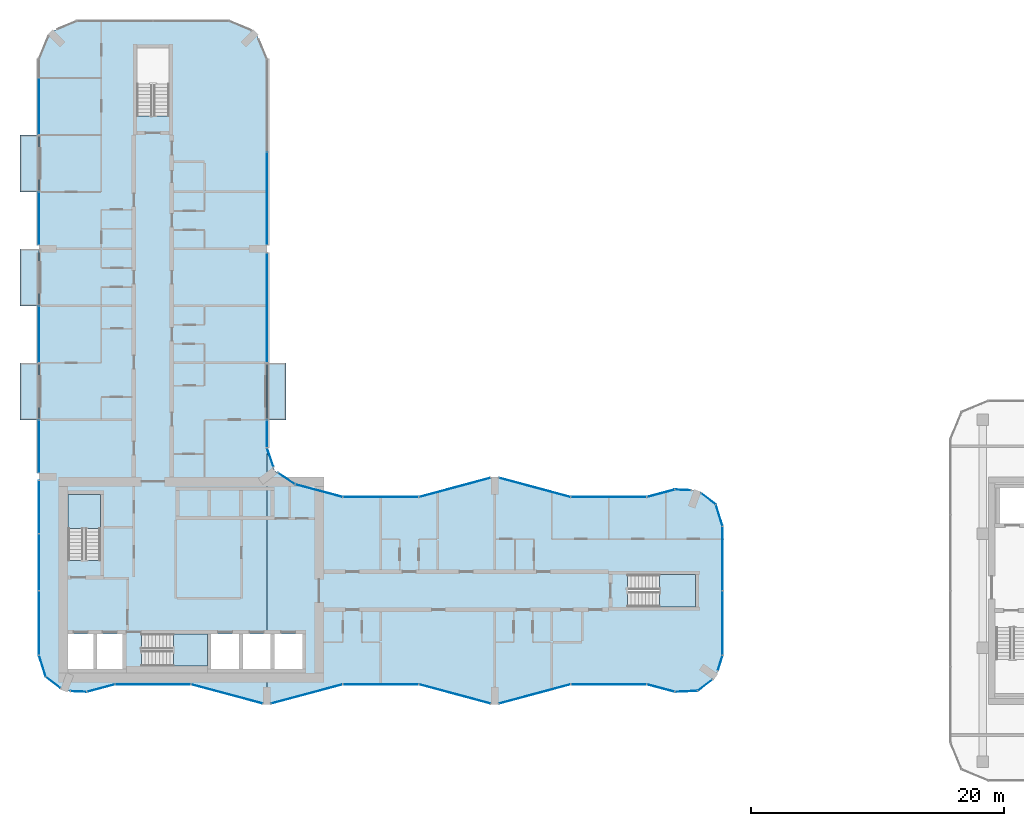
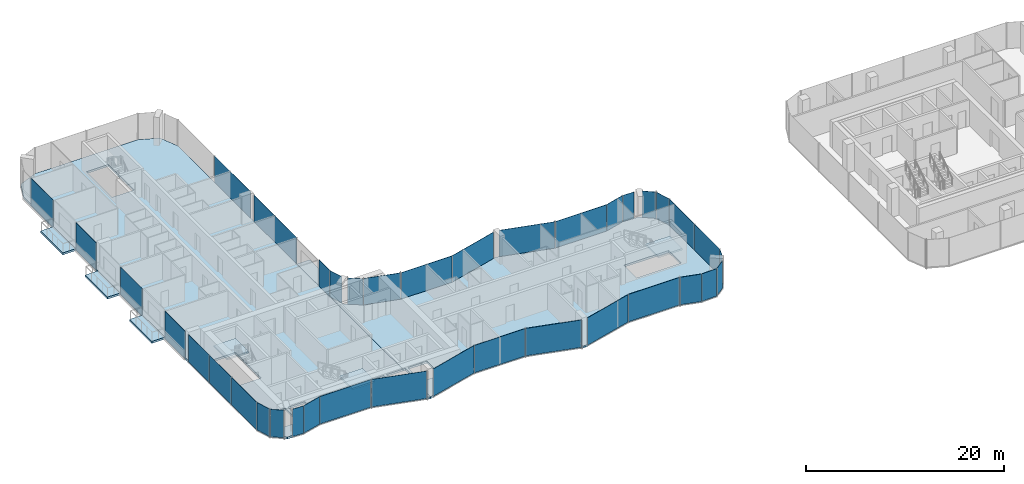
# One storey, part 11 of 22: 38 plates, 9 slabs, 38 elements without a shape of their own.
"""IFC4 building model written with IfcOpenShell, lengths in metres."""

import ifcopenshell
import ifcopenshell.guid

model = None  # the IFC model being written
_history = None  # IfcOwnerHistory: only IFC2X3 demands one
_inside = {}  # id of a spatial element -> (the spatial element, [elements in it])
_under = {}  # id of a project, library or spatial element -> (it, [spatial elements below it])
_declared = {}  # id of a project -> (the project, [libraries it declares])
_typed = {}  # id of a type object -> (the type object, [elements of that type])
_made_of = {}  # id of a material, layer set ... -> (it, [elements and type objects made of it])


def new_model(schema):
    """Start an empty IFC model of exactly this schema.

    Asked for "IFC4X3", IfcOpenShell would pick the latest addendum, in which some entities
    have other attributes; the version numbers below select the first issue.
    IFC2X3 requires an IfcOwnerHistory on every rooted entity: one is made here for all.
    """
    global model, _history
    if schema == "IFC4X3":
        model = ifcopenshell.file(schema_version=(4, 3, 0, 0))
    else:
        model = ifcopenshell.file(schema=schema)
    _inside.clear()
    _under.clear()
    _declared.clear()
    _typed.clear()
    _made_of.clear()
    _history = None
    if model.schema == "IFC2X3":
        org = make("IfcOrganization", Name="unknown")
        user = make(
            "IfcPersonAndOrganization",
            ThePerson=make("IfcPerson", FamilyName="unknown"),
            TheOrganization=org,
        )
        app = make(
            "IfcApplication",
            ApplicationDeveloper=org,
            Version="unknown",
            ApplicationFullName="unknown",
            ApplicationIdentifier="unknown",
        )
        _history = make(
            "IfcOwnerHistory",
            OwningUser=user,
            OwningApplication=app,
            ChangeAction="ADDED",
            CreationDate=0,
        )
    return model


def make(cls, **values):
    """One entity of the class cls with the attributes given. An attribute that is None is left unset."""
    return model.create_entity(
        cls, **{name: value for name, value in values.items() if value is not None}
    )


def rooted(cls, **values):
    """An entity with a GlobalId (a new one), such as an element, a storey or a relation."""
    return make(cls, GlobalId=ifcopenshell.guid.new(), OwnerHistory=_history, **values)


def si_unit(unit_type, name, prefix=None):
    """IfcSIUnit, for example si_unit("LENGTHUNIT", "METRE", prefix="MILLI")."""
    return make("IfcSIUnit", UnitType=unit_type, Prefix=prefix, Name=name)


def assignment(units):
    """IfcUnitAssignment: the units of a project."""
    return None if units is None else make("IfcUnitAssignment", Units=units)


def point(xyz):
    """IfcCartesianPoint."""
    return None if xyz is None else make("IfcCartesianPoint", Coordinates=xyz)


def direction(xyz):
    """IfcDirection."""
    return None if xyz is None else make("IfcDirection", DirectionRatios=xyz)


def frame(location, z_axis=None, x_axis=None):
    """IfcAxis2Placement3D, a coordinate frame: its origin and axes. An axis left out is left unset."""
    return make(
        "IfcAxis2Placement3D",
        Location=point(location),
        Axis=direction(z_axis),
        RefDirection=direction(x_axis),
    )


def frame_2d(location, x_axis=None):
    """IfcAxis2Placement2D, a coordinate frame in the plane: its origin and x axis."""
    return make(
        "IfcAxis2Placement2D", Location=point(location), RefDirection=direction(x_axis)
    )


def origin():
    """The frame at (0, 0, 0) with its axes left unset."""
    return frame((0.0, 0.0, 0.0))


def origin_2d():
    """The frame at (0, 0) in the plane with its x axis left unset."""
    return frame_2d((0.0, 0.0))


def place(relative_to, where):
    """IfcLocalPlacement: puts the frame where relative to a parent placement (None: the world)."""
    return make(
        "IfcLocalPlacement", PlacementRelTo=relative_to, RelativePlacement=where
    )


def context(
    kind, dimensions, precision=None, world=None, true_north=None, identifier=None
):
    """IfcGeometricRepresentationContext, for example the 3D "Model" context."""
    return make(
        "IfcGeometricRepresentationContext",
        ContextIdentifier=identifier,
        ContextType=kind,
        CoordinateSpaceDimension=dimensions,
        Precision=precision,
        WorldCoordinateSystem=world,
        TrueNorth=true_north,
    )


def subcontext(parent, identifier, kind, view, scale=None):
    """IfcGeometricRepresentationSubContext, for example "Body" below "Model"."""
    return make(
        "IfcGeometricRepresentationSubContext",
        ContextIdentifier=identifier,
        ContextType=kind,
        ParentContext=parent,
        TargetScale=scale,
        TargetView=view,
    )


def project(units=None, contexts=None):
    """IfcProject with its units and contexts."""
    return rooted(
        "IfcProject",
        Name="project",
        RepresentationContexts=contexts,
        UnitsInContext=assignment(units),
    )


def spatial(cls, under=None, at=None, **own):
    """A site, building, storey or space (cls), placed at a placement, below another one or the project."""
    s = rooted(cls, ObjectPlacement=at, **own)
    if under is not None:
        _under.setdefault(under.id(), (under, []))[1].append(s)
    return s


def polyline(points):
    """IfcPolyline through the points."""
    return make("IfcPolyline", Points=[point(p) for p in points])


def profile(cls, at=None, kind="AREA", **sizes):
    """A parametric profile (cls). Its sizes go by their IFC names, for example OverallWidth=200.0."""
    return make(cls, ProfileType=kind, Position=at, **sizes)


def rectangle(**sizes):
    """IfcRectangleProfileDef."""
    return profile("IfcRectangleProfileDef", **sizes)


def outline(outer, holes=None, kind="AREA"):
    """IfcArbitraryClosedProfileDef: a profile drawn as a closed curve; with holes, ...WithVoids."""
    if holes is None:
        return make("IfcArbitraryClosedProfileDef", ProfileType=kind, OuterCurve=outer)
    return make(
        "IfcArbitraryProfileDefWithVoids",
        ProfileType=kind,
        OuterCurve=outer,
        InnerCurves=holes,
    )


def extrude(swept, where, along, depth):
    """IfcExtrudedAreaSolid: the profile swept, set in the frame where, extruded along a direction by depth."""
    return make(
        "IfcExtrudedAreaSolid",
        SweptArea=swept,
        Position=where,
        ExtrudedDirection=direction(along),
        Depth=depth,
    )


def shape(context_of_items, identifier, shape_type, items):
    """IfcShapeRepresentation: the items that make up one representation, for example the "Body"."""
    return make(
        "IfcShapeRepresentation",
        ContextOfItems=context_of_items,
        RepresentationIdentifier=identifier,
        RepresentationType=shape_type,
        Items=items,
    )


def material(Name=None, Category=None):
    """IfcMaterial."""
    return make("IfcMaterial", Name=Name, Category=Category)


def layer(
    of_material, thickness, ventilated=None, Name=None, Category=None, Priority=None
):
    """IfcMaterialLayer: one layer of a wall or slab, of a material (None: an air gap)."""
    return make(
        "IfcMaterialLayer",
        Material=of_material,
        LayerThickness=thickness,
        IsVentilated=ventilated,
        Name=Name,
        Category=Category,
        Priority=Priority,
    )


def layer_set(layers, Name=None):
    """IfcMaterialLayerSet."""
    return make("IfcMaterialLayerSet", MaterialLayers=layers, LayerSetName=Name)


def made_of(thing, what):
    """Note that an element or type object is made of a material, layer set ...; save() writes the relation."""
    if what is not None:
        _made_of.setdefault(what.id(), (what, []))[1].append(thing)
    return thing


def type_object(cls, material=None, **own):
    """A type object (cls), such as IfcWallType, which elements share."""
    return made_of(rooted(cls, **own), material)


def element(
    cls,
    number,
    at=None,
    inside=None,
    cuts=None,
    type_object=None,
    material=None,
    context=None,
    identifier="Body",
    shape_type=None,
    held_by="IfcProductDefinitionShape",
    body=None,
    shapes=None,
    **own,
):
    """One element of the class cls, such as IfcWall. Its Tag is "e" and its number.

    at: its placement. inside: the storey or other place that contains it. cuts: it is an
    opening in that element (IfcRelVoidsElement). A single representation is given by context,
    identifier, shape_type and body (its items); several are given by shapes. held_by: the class
    of the entity that holds the representations. save() writes the other relations.
    """
    e = rooted(cls, Tag="e%d" % number, ObjectPlacement=at, **own)
    if body is not None:
        shapes = [shape(context, identifier, shape_type, body)]
    if shapes is not None:
        e.Representation = make(held_by, Representations=shapes)
    if inside is not None:
        _inside.setdefault(inside.id(), (inside, []))[1].append(e)
    if cuts is not None:
        rooted(
            "IfcRelVoidsElement", RelatingBuildingElement=cuts, RelatedOpeningElement=e
        )
    if type_object is not None:
        _typed.setdefault(type_object.id(), (type_object, []))[1].append(e)
    return made_of(e, material)


def aggregate(whole, parts):
    """IfcRelAggregates: a whole, such as a stair, and the parts it consists of."""
    return rooted("IfcRelAggregates", RelatingObject=whole, RelatedObjects=parts)


def save(model, path):
    """Write the relations noted so far, then the file.

    IfcRelAggregates (storeys below a building ...), IfcRelContainedInSpatialStructure (elements
    in a storey), IfcRelDefinesByType, IfcRelAssociatesMaterial and IfcRelDeclares: one each for
    every whole, place, type object, material and project.
    """
    for whole, parts in _under.values():
        aggregate(whole, parts)
    for where, things in _inside.values():
        rooted(
            "IfcRelContainedInSpatialStructure",
            RelatedElements=things,
            RelatingStructure=where,
        )
    for kind, things in _typed.values():
        rooted("IfcRelDefinesByType", RelatedObjects=things, RelatingType=kind)
    for what, things in _made_of.values():
        rooted("IfcRelAssociatesMaterial", RelatedObjects=things, RelatingMaterial=what)
    for by, libraries in _declared.values():
        rooted("IfcRelDeclares", RelatingContext=by, RelatedDefinitions=libraries)
    model.write(path)


model = new_model("IFC4")

# Units and contexts
model_context = context("Model", 3, precision=1e-05, world=origin(), true_north=direction((0.0, 1.0)))
body_context = subcontext(model_context, "Body", "Model", "MODEL_VIEW")
ifc_project = project(units=[si_unit("LENGTHUNIT", "METRE"), si_unit("AREAUNIT", "SQUARE_METRE"), si_unit("VOLUMEUNIT", "CUBIC_METRE"), si_unit("PLANEANGLEUNIT", "RADIAN"), si_unit("MASSUNIT", "GRAM", prefix="KILO")], contexts=[model_context])

# Site, building, storey
site_placement = place(None, origin())
site = spatial("IfcSite", under=ifc_project, at=site_placement, CompositionType="ELEMENT")
building_placement = place(site_placement, origin())
building = spatial("IfcBuilding", under=site, at=building_placement, Name="Plateau Cross Towers", CompositionType="ELEMENT")
storey_placement = place(building_placement, frame((0.0, 0.0, 54.800048828125)))
storey = spatial("IfcBuildingStorey", under=building, at=storey_placement, Name="L13", CompositionType="ELEMENT", Elevation=54.800048828125)

# Slabs
ifc_material_1 = material(Name="Concrete C40/50", Category="concrete")
ifc_layer_1 = layer(ifc_material_1, 0.25)
ifc_layer_set_1 = layer_set([ifc_layer_1], Name="Concrete C40/50")
slab_type_1 = type_object("IfcSlabType", Name="Balcony slab 250", PredefinedType="FLOOR", material=ifc_layer_set_1)
slab_1_placement = place(storey_placement, frame((0.0, 0.0, -0.25)))
element("IfcSlab", 1, at=slab_1_placement, inside=storey, type_object=slab_type_1, Name="Balcony slab A-BAL-L13-01", PredefinedType="FLOOR", context=body_context, shape_type="SweptSolid", body=[
    extrude(outline(polyline([(0.0, 22.5), (0.0, 27.0), (-1.5, 27.0), (-1.5, 22.5), (0.0, 22.5)])), origin(), (0.0, 0.0, 1.0), 0.25),
])
slab_2_placement = place(storey_placement, frame((0.0, 0.0, -0.25)))
element("IfcSlab", 2, at=slab_2_placement, inside=storey, type_object=slab_type_1, Name="Balcony slab A-BAL-L13-02", PredefinedType="FLOOR", context=body_context, shape_type="SweptSolid", body=[
    extrude(outline(polyline([(0.0, 31.5), (0.0, 36.0), (-1.5, 36.0), (-1.5, 31.5), (0.0, 31.5)])), origin(), (0.0, 0.0, 1.0), 0.25),
])
slab_3_placement = place(storey_placement, frame((0.0, 0.0, -0.25)))
element("IfcSlab", 3, at=slab_3_placement, inside=storey, type_object=slab_type_1, Name="Balcony slab A-BAL-L13-03", PredefinedType="FLOOR", context=body_context, shape_type="SweptSolid", body=[
    extrude(outline(polyline([(0.0, 40.5), (0.0, 45.0), (-1.5, 45.0), (-1.5, 40.5), (0.0, 40.5)])), origin(), (0.0, 0.0, 1.0), 0.25),
])
slab_4_placement = place(storey_placement, frame((0.0, 0.0, -0.25)))
element("IfcSlab", 4, at=slab_4_placement, inside=storey, type_object=slab_type_1, Name="Balcony slab A-BAL-L13-04", PredefinedType="FLOOR", context=body_context, shape_type="SweptSolid", body=[
    extrude(outline(polyline([(19.5, 22.5), (19.5, 27.0), (18.0, 27.0), (18.0, 22.5), (19.5, 22.5)])), origin(), (0.0, 0.0, 1.0), 0.25),
])

# Curtain wall, plate
ifc_material_2 = material(Name="Dark low-iron glass", Category="glass")
ifc_layer_2 = layer(ifc_material_2, 0.239990234375)
ifc_layer_set_2 = layer_set([ifc_layer_2], Name="Dark low-iron glass")
curtain_wall_type_1 = type_object("IfcCurtainWallType", Name="Curtain wall flush unitised CW-B", PredefinedType="NOTDEFINED", material=ifc_layer_set_2)
curtain_wall_1_placement = place(storey_placement, origin())
curtain_wall_1 = element("IfcCurtainWall", 5, at=curtain_wall_1_placement, inside=storey, type_object=curtain_wall_type_1, Name="ENV/A/L13/A502_10", PredefinedType="NOTDEFINED")
ifc_layer_3 = layer(ifc_material_2, 0.031982421875)
ifc_layer_set_3 = layer_set([ifc_layer_3], Name="Dark low-iron glass")
plate_type_1 = type_object("IfcPlateType", Name="Glass panel 32 flush unitised", PredefinedType="CURTAIN_PANEL", material=ifc_layer_set_3)
plate_1_placement = place(storey_placement, frame((51.125, 1.05078125, -0.1298828125), z_axis=(0.0, 0.0, 1.0), x_axis=(0.999043701491, 0.043722791671, 0.0)))
plate_1 = element("IfcPlate", 6, at=plate_1_placement, type_object=plate_type_1, Name="CW-B panel 1", PredefinedType="CURTAIN_PANEL", context=body_context, shape_type="SweptSolid", body=[
    extrude(rectangle(XDim=1.744140625, YDim=0.031982421875, at=origin_2d()), origin(), (0.0, 0.0, 1.0), 3.3798828125),
])
aggregate(curtain_wall_1, [plate_1])

curtain_wall_2_placement = place(storey_placement, origin())
curtain_wall_2 = element("IfcCurtainWall", 7, at=curtain_wall_2_placement, inside=storey, type_object=curtain_wall_type_1, Name="ENV/A/L13/A520_11", PredefinedType="NOTDEFINED")
plate_2_placement = place(storey_placement, frame((52.60986328125, 1.5380859375, -0.1298828125), z_axis=(0.0, 0.0, 1.0), x_axis=(0.793315514529, 0.608810721331, 0.0)))
plate_2 = element("IfcPlate", 8, at=plate_2_placement, type_object=plate_type_1, Name="CW-B panel 1", PredefinedType="CURTAIN_PANEL", context=body_context, shape_type="SweptSolid", body=[
    extrude(rectangle(XDim=1.41162109375, YDim=0.031982421875, at=origin_2d()), origin(), (0.0, 0.0, 1.0), 3.3798828125),
])
aggregate(curtain_wall_2, [plate_2])

curtain_wall_3_placement = place(storey_placement, origin())
curtain_wall_3 = element("IfcCurtainWall", 9, at=curtain_wall_3_placement, inside=storey, type_object=curtain_wall_type_1, Name="ENV/A/L13/A536_27", PredefinedType="NOTDEFINED")
plate_3_placement = place(storey_placement, frame((53.805419921875, 3.292236328125, -0.1298828125), z_axis=(0.0, 0.0, 1.0), x_axis=(0.300686174994, 0.95372313811, 0.0)))
plate_3 = element("IfcPlate", 10, at=plate_3_placement, type_object=plate_type_1, Name="CW-B panel 1", PredefinedType="CURTAIN_PANEL", context=body_context, shape_type="SweptSolid", body=[
    extrude(rectangle(XDim=1.233642578125, YDim=0.031982421875, at=origin_2d()), origin(), (0.0, 0.0, 1.0), 3.3798828125),
])
aggregate(curtain_wall_3, [plate_3])

# Curtain wall, plates
curtain_wall_4_placement = place(storey_placement, origin())
curtain_wall_4 = element("IfcCurtainWall", 11, at=curtain_wall_4_placement, inside=storey, type_object=curtain_wall_type_1, Name="ENV/A/L13/A540_39", PredefinedType="NOTDEFINED")
plate_4_placement = place(storey_placement, frame((54.0, 6.45458984375, -0.1298828125), z_axis=(0.0, 0.0, 1.0), x_axis=(0.0, 1.0, 0.0)))
plate_4 = element("IfcPlate", 12, at=plate_4_placement, type_object=plate_type_1, Name="CW-B panel 1", PredefinedType="CURTAIN_PANEL", context=body_context, shape_type="SweptSolid", body=[
    extrude(rectangle(XDim=5.03076171875, YDim=0.031982421875, at=origin_2d()), origin(), (0.0, 0.0, 1.0), 3.3798828125),
])
plate_5_placement = place(storey_placement, frame((54.0, 11.54541015625, -0.1298828125), z_axis=(0.0, 0.0, 1.0), x_axis=(0.0, 1.0, 0.0)))
plate_5 = element("IfcPlate", 13, at=plate_5_placement, type_object=plate_type_1, Name="CW-B panel 2", PredefinedType="CURTAIN_PANEL", context=body_context, shape_type="SweptSolid", body=[
    extrude(rectangle(XDim=5.03076171875, YDim=0.031982421875, at=origin_2d()), origin(), (0.0, 0.0, 1.0), 3.3798828125),
])
aggregate(curtain_wall_4, [plate_4, plate_5])

# Curtain wall, plate
curtain_wall_5_placement = place(storey_placement, origin())
curtain_wall_5 = element("IfcCurtainWall", 14, at=curtain_wall_5_placement, inside=storey, type_object=curtain_wall_type_1, Name="ENV/A/L13/A540_141", PredefinedType="NOTDEFINED")
plate_6_placement = place(storey_placement, frame((53.728759765625, 14.951171875, -0.1298828125), z_axis=(0.0, 0.0, 1.0), x_axis=(-0.300686174994, 0.95372313811, 0.0)))
plate_6 = element("IfcPlate", 15, at=plate_6_placement, type_object=plate_type_1, Name="CW-B panel 1", PredefinedType="CURTAIN_PANEL", context=body_context, shape_type="SweptSolid", body=[
    extrude(rectangle(XDim=1.744140625, YDim=0.031982421875, at=origin_2d()), origin(), (0.0, 0.0, 1.0), 3.3798828125),
])
aggregate(curtain_wall_5, [plate_6])

curtain_wall_6_placement = place(storey_placement, origin())
curtain_wall_6 = element("IfcCurtainWall", 16, at=curtain_wall_6_placement, inside=storey, type_object=curtain_wall_type_1, Name="ENV/A/L13/A535_158", PredefinedType="NOTDEFINED")
plate_7_placement = place(storey_placement, frame((52.873779296875, 16.25927734375, -0.1298828125), z_axis=(0.0, 0.0, 1.0), x_axis=(-0.793315514529, 0.608810721331, 0.0)))
plate_7 = element("IfcPlate", 17, at=plate_7_placement, type_object=plate_type_1, Name="CW-B panel 1", PredefinedType="CURTAIN_PANEL", context=body_context, shape_type="SweptSolid", body=[
    extrude(rectangle(XDim=1.41162109375, YDim=0.031982421875, at=origin_2d()), origin(), (0.0, 0.0, 1.0), 3.3798828125),
])
aggregate(curtain_wall_6, [plate_7])

curtain_wall_7_placement = place(storey_placement, origin())
curtain_wall_7 = element("IfcCurtainWall", 18, at=curtain_wall_7_placement, inside=storey, type_object=curtain_wall_type_1, Name="ENV/A/L13/A515_169", PredefinedType="NOTDEFINED")
plate_8_placement = place(storey_placement, frame((50.8701171875, 16.96044921875, -0.1298828125), z_axis=(0.0, 0.0, 1.0), x_axis=(-0.999043701491, 0.043722791671, 0.0)))
plate_8 = element("IfcPlate", 19, at=plate_8_placement, type_object=plate_type_1, Name="CW-B panel 1", PredefinedType="CURTAIN_PANEL", context=body_context, shape_type="SweptSolid", body=[
    extrude(rectangle(XDim=1.233642578125, YDim=0.031982421875, at=origin_2d()), origin(), (0.0, 0.0, 1.0), 3.3798828125),
])
aggregate(curtain_wall_7, [plate_8])

curtain_wall_8_placement = place(storey_placement, origin())
curtain_wall_8 = element("IfcCurtainWall", 20, at=curtain_wall_8_placement, inside=storey, type_object=curtain_wall_type_1, Name="ENV/A/L13/A202_174", PredefinedType="NOTDEFINED")
plate_9_placement = place(storey_placement, frame((19.546630859375, 17.856689453125, -0.1298828125), z_axis=(0.0, 0.0, 1.0), x_axis=(-0.831521253329, 0.555492938984, 0.0)))
plate_9 = element("IfcPlate", 21, at=plate_9_placement, type_object=plate_type_1, Name="CW-B panel 1", PredefinedType="CURTAIN_PANEL", context=body_context, shape_type="SweptSolid", body=[
    extrude(rectangle(XDim=1.56884765625, YDim=0.031982421875, at=origin_2d()), origin(), (0.0, 0.0, 1.0), 3.3798828125),
])
aggregate(curtain_wall_8, [plate_9])

curtain_wall_9_placement = place(storey_placement, origin())
curtain_wall_9 = element("IfcCurtainWall", 22, at=curtain_wall_9_placement, inside=storey, type_object=curtain_wall_type_1, Name="ENV/A/L13/A185_188", PredefinedType="NOTDEFINED")
plate_10_placement = place(storey_placement, frame((18.26171875, 19.531005859375, -0.1298828125), z_axis=(0.0, 0.0, 1.0), x_axis=(-0.321469161574, 0.94692004845, 0.0)))
plate_10 = element("IfcPlate", 23, at=plate_10_placement, type_object=plate_type_1, Name="CW-B panel 1", PredefinedType="CURTAIN_PANEL", context=body_context, shape_type="SweptSolid", body=[
    extrude(rectangle(XDim=1.56884765625, YDim=0.031982421875, at=origin_2d()), origin(), (0.0, 0.0, 1.0), 3.3798828125),
])
aggregate(curtain_wall_9, [plate_10])

curtain_wall_10_placement = place(storey_placement, origin())
curtain_wall_10 = element("IfcCurtainWall", 24, at=curtain_wall_10_placement, inside=storey, type_object=curtain_wall_type_1, Name="ENV/A/L13/A180_203", PredefinedType="NOTDEFINED")
plate_11_placement = place(storey_placement, frame((18.0, 21.396240234375, -0.1298828125), z_axis=(0.0, 0.0, 1.0), x_axis=(0.0, 1.0, 0.0)))
plate_11 = element("IfcPlate", 25, at=plate_11_placement, type_object=plate_type_1, Name="CW-B panel 1", PredefinedType="CURTAIN_PANEL", context=body_context, shape_type="SweptSolid", body=[
    extrude(rectangle(XDim=2.127685546875, YDim=0.031982421875, at=origin_2d()), origin(), (0.0, 0.0, 1.0), 3.3798828125),
])
aggregate(curtain_wall_10, [plate_11])

curtain_wall_11_placement = place(storey_placement, origin())
curtain_wall_11 = element("IfcCurtainWall", 26, at=curtain_wall_11_placement, inside=storey, type_object=curtain_wall_type_1, Name="ENV/A/L13/A180_270", PredefinedType="NOTDEFINED")
plate_12_placement = place(storey_placement, frame((18.0, 31.35498046875, -0.1298828125), z_axis=(0.0, 0.0, 1.0), x_axis=(0.0, 1.0, 0.0)))
plate_12 = element("IfcPlate", 27, at=plate_12_placement, type_object=plate_type_1, Name="CW-B panel 1", PredefinedType="CURTAIN_PANEL", context=body_context, shape_type="SweptSolid", body=[
    extrude(rectangle(XDim=8.6298828125, YDim=0.031982421875, at=origin_2d()), origin(), (0.0, 0.0, 1.0), 3.3798828125),
])
aggregate(curtain_wall_11, [plate_12])

curtain_wall_12_placement = place(storey_placement, origin())
curtain_wall_12 = element("IfcCurtainWall", 28, at=curtain_wall_12_placement, inside=storey, type_object=curtain_wall_type_1, Name="ENV/A/L13/A180_363", PredefinedType="NOTDEFINED")
plate_13_placement = place(storey_placement, frame((18.0, 39.97509765625, -0.1298828125), z_axis=(0.0, 0.0, 1.0), x_axis=(0.0, 1.0, 0.0)))
plate_13 = element("IfcPlate", 29, at=plate_13_placement, type_object=plate_type_1, Name="CW-B panel 1", PredefinedType="CURTAIN_PANEL", context=body_context, shape_type="SweptSolid", body=[
    extrude(rectangle(XDim=7.2900390625, YDim=0.031982421875, at=origin_2d()), origin(), (0.0, 0.0, 1.0), 3.3798828125),
])
aggregate(curtain_wall_12, [plate_13])

curtain_wall_13_placement = place(storey_placement, origin())
curtain_wall_13 = element("IfcCurtainWall", 30, at=curtain_wall_13_placement, inside=storey, type_object=curtain_wall_type_1, Name="ENV/A/L13/A0_510", PredefinedType="NOTDEFINED")
plate_14_placement = place(storey_placement, frame((0.0, 47.2548828125, -0.1298828125), z_axis=(0.0, 0.0, 1.0), x_axis=(0.0, -1.0, 0.0)))
plate_14 = element("IfcPlate", 31, at=plate_14_placement, type_object=plate_type_1, Name="CW-B panel 2", PredefinedType="CURTAIN_PANEL", context=body_context, shape_type="SweptSolid", body=[
    extrude(rectangle(XDim=4.429931640625, YDim=0.031982421875, at=origin_2d()), origin(), (0.0, 0.0, 1.0), 3.3798828125),
])
aggregate(curtain_wall_13, [plate_14])

curtain_wall_14_placement = place(storey_placement, origin())
curtain_wall_14 = element("IfcCurtainWall", 32, at=curtain_wall_14_placement, inside=storey, type_object=curtain_wall_type_1, Name="ENV/A/L13/A0_405", PredefinedType="NOTDEFINED")
plate_15_placement = place(storey_placement, frame((0.0, 38.39501953125, -0.1298828125), z_axis=(0.0, 0.0, 1.0), x_axis=(0.0, -1.0, 0.0)))
plate_15 = element("IfcPlate", 33, at=plate_15_placement, type_object=plate_type_1, Name="CW-B panel 1", PredefinedType="CURTAIN_PANEL", context=body_context, shape_type="SweptSolid", body=[
    extrude(rectangle(XDim=4.1298828125, YDim=0.031982421875, at=origin_2d()), origin(), (0.0, 0.0, 1.0), 3.3798828125),
])
aggregate(curtain_wall_14, [plate_15])

curtain_wall_15_placement = place(storey_placement, origin())
curtain_wall_15 = element("IfcCurtainWall", 34, at=curtain_wall_15_placement, inside=storey, type_object=curtain_wall_type_1, Name="ENV/A/L13/A0_315", PredefinedType="NOTDEFINED")
plate_16_placement = place(storey_placement, frame((0.0, 29.25, -0.1298828125), z_axis=(0.0, 0.0, 1.0), x_axis=(0.0, -1.0, 0.0)))
plate_16 = element("IfcPlate", 35, at=plate_16_placement, type_object=plate_type_1, Name="CW-B panel 1", PredefinedType="CURTAIN_PANEL", context=body_context, shape_type="SweptSolid", body=[
    extrude(rectangle(XDim=4.419921875, YDim=0.031982421875, at=origin_2d()), origin(), (0.0, 0.0, 1.0), 3.3798828125),
])
aggregate(curtain_wall_15, [plate_16])

curtain_wall_16_placement = place(storey_placement, origin())
curtain_wall_16 = element("IfcCurtainWall", 36, at=curtain_wall_16_placement, inside=storey, type_object=curtain_wall_type_1, Name="ENV/A/L13/A0_225", PredefinedType="NOTDEFINED")
plate_17_placement = place(storey_placement, frame((0.0, 20.39501953125, -0.1298828125), z_axis=(0.0, 0.0, 1.0), x_axis=(0.0, -1.0, 0.0)))
plate_17 = element("IfcPlate", 37, at=plate_17_placement, type_object=plate_type_1, Name="CW-B panel 1", PredefinedType="CURTAIN_PANEL", context=body_context, shape_type="SweptSolid", body=[
    extrude(rectangle(XDim=4.1298828125, YDim=0.031982421875, at=origin_2d()), origin(), (0.0, 0.0, 1.0), 3.3798828125),
])
aggregate(curtain_wall_16, [plate_17])

# Curtain wall, plates
curtain_wall_17_placement = place(storey_placement, origin())
curtain_wall_17 = element("IfcCurtainWall", 38, at=curtain_wall_17_placement, inside=storey, type_object=curtain_wall_type_1, Name="ENV/A/L13/A0_177", PredefinedType="NOTDEFINED")
plate_18_placement = place(storey_placement, frame((0.0, 15.60009765625, -0.1298828125), z_axis=(0.0, 0.0, 1.0), x_axis=(0.0, -1.0, 0.0)))
plate_18 = element("IfcPlate", 39, at=plate_18_placement, type_object=plate_type_1, Name="CW-B panel 1", PredefinedType="CURTAIN_PANEL", context=body_context, shape_type="SweptSolid", body=[
    extrude(rectangle(XDim=4.139892578125, YDim=0.031982421875, at=origin_2d()), origin(), (0.0, 0.0, 1.0), 3.3798828125),
])
plate_19_placement = place(storey_placement, frame((0.0, 11.25, -0.1298828125), z_axis=(0.0, 0.0, 1.0), x_axis=(0.0, -1.0, 0.0)))
plate_19 = element("IfcPlate", 40, at=plate_19_placement, type_object=plate_type_1, Name="CW-B panel 2", PredefinedType="CURTAIN_PANEL", context=body_context, shape_type="SweptSolid", body=[
    extrude(rectangle(XDim=4.43994140625, YDim=0.031982421875, at=origin_2d()), origin(), (0.0, 0.0, 1.0), 3.3798828125),
])
plate_20_placement = place(storey_placement, frame((0.0, 6.45458984375, -0.1298828125), z_axis=(0.0, 0.0, 1.0), x_axis=(0.0, -1.0, 0.0)))
plate_20 = element("IfcPlate", 41, at=plate_20_placement, type_object=plate_type_1, Name="CW-B panel 3", PredefinedType="CURTAIN_PANEL", context=body_context, shape_type="SweptSolid", body=[
    extrude(rectangle(XDim=5.03076171875, YDim=0.031982421875, at=origin_2d()), origin(), (0.0, 0.0, 1.0), 3.3798828125),
])
aggregate(curtain_wall_17, [plate_18, plate_19, plate_20])

# Curtain wall, plate
curtain_wall_18_placement = place(storey_placement, origin())
curtain_wall_18 = element("IfcCurtainWall", 42, at=curtain_wall_18_placement, inside=storey, type_object=curtain_wall_type_1, Name="ENV/A/L13/A0_39", PredefinedType="NOTDEFINED")
plate_21_placement = place(storey_placement, frame((0.271240234375, 3.048828125, -0.1298828125), z_axis=(0.0, 0.0, 1.0), x_axis=(0.300686174994, -0.95372313811, 0.0)))
plate_21 = element("IfcPlate", 43, at=plate_21_placement, type_object=plate_type_1, Name="CW-B panel 1", PredefinedType="CURTAIN_PANEL", context=body_context, shape_type="SweptSolid", body=[
    extrude(rectangle(XDim=1.744140625, YDim=0.031982421875, at=origin_2d()), origin(), (0.0, 0.0, 1.0), 3.3798828125),
])
aggregate(curtain_wall_18, [plate_21])

curtain_wall_19_placement = place(storey_placement, origin())
curtain_wall_19 = element("IfcCurtainWall", 44, at=curtain_wall_19_placement, inside=storey, type_object=curtain_wall_type_1, Name="ENV/A/L13/A5_22", PredefinedType="NOTDEFINED")
plate_22_placement = place(storey_placement, frame((1.126220703125, 1.74072265625, -0.1298828125), z_axis=(0.0, 0.0, 1.0), x_axis=(0.793315514529, -0.608810721331, 0.0)))
plate_22 = element("IfcPlate", 45, at=plate_22_placement, type_object=plate_type_1, Name="CW-B panel 1", PredefinedType="CURTAIN_PANEL", context=body_context, shape_type="SweptSolid", body=[
    extrude(rectangle(XDim=1.41162109375, YDim=0.031982421875, at=origin_2d()), origin(), (0.0, 0.0, 1.0), 3.3798828125),
])
aggregate(curtain_wall_19, [plate_22])

curtain_wall_20_placement = place(storey_placement, origin())
curtain_wall_20 = element("IfcCurtainWall", 46, at=curtain_wall_20_placement, inside=storey, type_object=curtain_wall_type_1, Name="ENV/A/L13/A25_11", PredefinedType="NOTDEFINED")
plate_23_placement = place(storey_placement, frame((3.1298828125, 1.03955078125, -0.1298828125), z_axis=(0.0, 0.0, 1.0), x_axis=(0.999043701491, -0.043722791671, 0.0)))
plate_23 = element("IfcPlate", 47, at=plate_23_placement, type_object=plate_type_1, Name="CW-B panel 1", PredefinedType="CURTAIN_PANEL", context=body_context, shape_type="SweptSolid", body=[
    extrude(rectangle(XDim=1.233642578125, YDim=0.031982421875, at=origin_2d()), origin(), (0.0, 0.0, 1.0), 3.3798828125),
])
aggregate(curtain_wall_20, [plate_23])

ifc_layer_4 = layer(ifc_material_2, 0.260009765625)
ifc_layer_set_4 = layer_set([ifc_layer_4], Name="Dark low-iron glass")
curtain_wall_type_2 = type_object("IfcCurtainWallType", Name="Curtain wall fluted unitised CW-A", PredefinedType="NOTDEFINED", material=ifc_layer_set_4)
curtain_wall_21_placement = place(storey_placement, origin())
curtain_wall_21 = element("IfcCurtainWall", 48, at=curtain_wall_21_placement, inside=storey, type_object=curtain_wall_type_2, Name="ENV/A/L13/A38_10", PredefinedType="NOTDEFINED")
ifc_layer_5 = layer(ifc_material_2, 0.035888671875)
ifc_layer_set_5 = layer_set([ifc_layer_5], Name="Dark low-iron glass")
plate_type_2 = type_object("IfcPlateType", Name="Glass panel 36 fluted unitised", PredefinedType="CURTAIN_PANEL", material=ifc_layer_set_5)
plate_24_placement = place(storey_placement, frame((4.887939453125, 1.30908203125, -0.1298828125), z_axis=(0.0, 0.0, 1.0), x_axis=(0.965957962328, 0.258699081978, 0.0)))
plate_24 = element("IfcPlate", 49, at=plate_24_placement, type_object=plate_type_2, Name="CW-A panel 1", PredefinedType="CURTAIN_PANEL", context=body_context, shape_type="SweptSolid", body=[
    extrude(rectangle(XDim=2.2421875, YDim=0.035888671875, at=origin_2d()), origin(), (0.0, 0.0, 1.0), 3.3798828125),
])
aggregate(curtain_wall_21, [plate_24])

curtain_wall_22_placement = place(storey_placement, origin())
curtain_wall_22 = element("IfcCurtainWall", 50, at=curtain_wall_22_placement, inside=storey, type_object=curtain_wall_type_2, Name="ENV/A/L13/A60_16", PredefinedType="NOTDEFINED")
plate_25_placement = place(storey_placement, frame((9.0, 1.60693359375, -0.1298828125), z_axis=(0.0, 0.0, 1.0), x_axis=(1.0, 0.0, 0.0)))
plate_25 = element("IfcPlate", 51, at=plate_25_placement, type_object=plate_type_2, Name="CW-A panel 1", PredefinedType="CURTAIN_PANEL", context=body_context, shape_type="SweptSolid", body=[
    extrude(rectangle(XDim=5.93994140625, YDim=0.035888671875, at=origin_2d()), origin(), (0.0, 0.0, 1.0), 3.3798828125),
])
aggregate(curtain_wall_22, [plate_25])

curtain_wall_23_placement = place(storey_placement, origin())
curtain_wall_23 = element("IfcCurtainWall", 52, at=curtain_wall_23_placement, inside=storey, type_object=curtain_wall_type_2, Name="ENV/A/L13/A120_16", PredefinedType="NOTDEFINED")
plate_26_placement = place(storey_placement, frame((14.841064453125, 0.845947265625, -0.1298828125), z_axis=(0.0, 0.0, 1.0), x_axis=(0.965957983404, -0.258699003279, 0.0)))
plate_26 = element("IfcPlate", 53, at=plate_26_placement, type_object=plate_type_2, Name="CW-A panel 1", PredefinedType="CURTAIN_PANEL", context=body_context, shape_type="SweptSolid", body=[
    extrude(rectangle(XDim=5.822265625, YDim=0.035888671875, at=origin_2d()), origin(), (0.0, 0.0, 1.0), 3.3798828125),
])
aggregate(curtain_wall_23, [plate_26])

curtain_wall_24_placement = place(storey_placement, origin())
curtain_wall_24 = element("IfcCurtainWall", 54, at=curtain_wall_24_placement, inside=storey, type_object=curtain_wall_type_2, Name="ENV/A/L13/A183_1", PredefinedType="NOTDEFINED")
plate_27_placement = place(storey_placement, frame((21.158935546875, 0.845947265625, -0.1298828125), z_axis=(0.0, 0.0, 1.0), x_axis=(0.965957983404, 0.258699003279, 0.0)))
plate_27 = element("IfcPlate", 55, at=plate_27_placement, type_object=plate_type_2, Name="CW-A panel 1", PredefinedType="CURTAIN_PANEL", context=body_context, shape_type="SweptSolid", body=[
    extrude(rectangle(XDim=5.822265625, YDim=0.035888671875, at=origin_2d()), origin(), (0.0, 0.0, 1.0), 3.3798828125),
])
aggregate(curtain_wall_24, [plate_27])

curtain_wall_25_placement = place(storey_placement, origin())
curtain_wall_25 = element("IfcCurtainWall", 56, at=curtain_wall_25_placement, inside=storey, type_object=curtain_wall_type_2, Name="ENV/A/L13/A240_16", PredefinedType="NOTDEFINED")
plate_28_placement = place(storey_placement, frame((27.0, 1.60693359375, -0.1298828125), z_axis=(0.0, 0.0, 1.0), x_axis=(1.0, 0.0, 0.0)))
plate_28 = element("IfcPlate", 57, at=plate_28_placement, type_object=plate_type_2, Name="CW-A panel 1", PredefinedType="CURTAIN_PANEL", context=body_context, shape_type="SweptSolid", body=[
    extrude(rectangle(XDim=5.93994140625, YDim=0.035888671875, at=origin_2d()), origin(), (0.0, 0.0, 1.0), 3.3798828125),
])
aggregate(curtain_wall_25, [plate_28])

curtain_wall_26_placement = place(storey_placement, origin())
curtain_wall_26 = element("IfcCurtainWall", 58, at=curtain_wall_26_placement, inside=storey, type_object=curtain_wall_type_2, Name="ENV/A/L13/A300_16", PredefinedType="NOTDEFINED")
plate_29_placement = place(storey_placement, frame((32.841064453125, 0.845947265625, -0.1298828125), z_axis=(0.0, 0.0, 1.0), x_axis=(0.965957983404, -0.258699003279, 0.0)))
plate_29 = element("IfcPlate", 59, at=plate_29_placement, type_object=plate_type_2, Name="CW-A panel 1", PredefinedType="CURTAIN_PANEL", context=body_context, shape_type="SweptSolid", body=[
    extrude(rectangle(XDim=5.822265625, YDim=0.035888671875, at=origin_2d()), origin(), (0.0, 0.0, 1.0), 3.3798828125),
])
aggregate(curtain_wall_26, [plate_29])

curtain_wall_27_placement = place(storey_placement, origin())
curtain_wall_27 = element("IfcCurtainWall", 60, at=curtain_wall_27_placement, inside=storey, type_object=curtain_wall_type_2, Name="ENV/A/L13/A363_1", PredefinedType="NOTDEFINED")
plate_30_placement = place(storey_placement, frame((39.158935546875, 0.845947265625, -0.1298828125), z_axis=(0.0, 0.0, 1.0), x_axis=(0.965957983404, 0.258699003279, 0.0)))
plate_30 = element("IfcPlate", 61, at=plate_30_placement, type_object=plate_type_2, Name="CW-A panel 1", PredefinedType="CURTAIN_PANEL", context=body_context, shape_type="SweptSolid", body=[
    extrude(rectangle(XDim=5.822265625, YDim=0.035888671875, at=origin_2d()), origin(), (0.0, 0.0, 1.0), 3.3798828125),
])
aggregate(curtain_wall_27, [plate_30])

curtain_wall_28_placement = place(storey_placement, origin())
curtain_wall_28 = element("IfcCurtainWall", 62, at=curtain_wall_28_placement, inside=storey, type_object=curtain_wall_type_2, Name="ENV/A/L13/A420_16", PredefinedType="NOTDEFINED")
plate_31_placement = place(storey_placement, frame((45.0, 1.60693359375, -0.1298828125), z_axis=(0.0, 0.0, 1.0), x_axis=(1.0, 0.0, 0.0)))
plate_31 = element("IfcPlate", 63, at=plate_31_placement, type_object=plate_type_2, Name="CW-A panel 1", PredefinedType="CURTAIN_PANEL", context=body_context, shape_type="SweptSolid", body=[
    extrude(rectangle(XDim=5.93994140625, YDim=0.035888671875, at=origin_2d()), origin(), (0.0, 0.0, 1.0), 3.3798828125),
])
aggregate(curtain_wall_28, [plate_31])

curtain_wall_29_placement = place(storey_placement, origin())
curtain_wall_29 = element("IfcCurtainWall", 64, at=curtain_wall_29_placement, inside=storey, type_object=curtain_wall_type_2, Name="ENV/A/L13/A480_16", PredefinedType="NOTDEFINED")
plate_32_placement = place(storey_placement, frame((49.112060546875, 1.30908203125, -0.1298828125), z_axis=(0.0, 0.0, 1.0), x_axis=(0.965957962328, -0.258699081978, 0.0)))
plate_32 = element("IfcPlate", 65, at=plate_32_placement, type_object=plate_type_2, Name="CW-A panel 1", PredefinedType="CURTAIN_PANEL", context=body_context, shape_type="SweptSolid", body=[
    extrude(rectangle(XDim=2.2421875, YDim=0.035888671875, at=origin_2d()), origin(), (0.0, 0.0, 1.0), 3.3798828125),
])
aggregate(curtain_wall_29, [plate_32])

curtain_wall_30_placement = place(storey_placement, origin())
curtain_wall_30 = element("IfcCurtainWall", 66, at=curtain_wall_30_placement, inside=storey, type_object=curtain_wall_type_2, Name="ENV/A/L13/A502_170", PredefinedType="NOTDEFINED")
plate_33_placement = place(storey_placement, frame((49.112060546875, 16.69091796875, -0.1298828125), z_axis=(0.0, 0.0, 1.0), x_axis=(-0.965957962328, -0.258699081978, 0.0)))
plate_33 = element("IfcPlate", 67, at=plate_33_placement, type_object=plate_type_2, Name="CW-A panel 1", PredefinedType="CURTAIN_PANEL", context=body_context, shape_type="SweptSolid", body=[
    extrude(rectangle(XDim=2.2421875, YDim=0.035888671875, at=origin_2d()), origin(), (0.0, 0.0, 1.0), 3.3798828125),
])
aggregate(curtain_wall_30, [plate_33])

curtain_wall_31_placement = place(storey_placement, origin())
curtain_wall_31 = element("IfcCurtainWall", 68, at=curtain_wall_31_placement, inside=storey, type_object=curtain_wall_type_2, Name="ENV/A/L13/A480_164", PredefinedType="NOTDEFINED")
plate_34_placement = place(storey_placement, frame((45.0, 16.39306640625, -0.1298828125), z_axis=(0.0, 0.0, 1.0), x_axis=(-1.0, 0.0, 0.0)))
plate_34 = element("IfcPlate", 69, at=plate_34_placement, type_object=plate_type_2, Name="CW-A panel 1", PredefinedType="CURTAIN_PANEL", context=body_context, shape_type="SweptSolid", body=[
    extrude(rectangle(XDim=5.93994140625, YDim=0.035888671875, at=origin_2d()), origin(), (0.0, 0.0, 1.0), 3.3798828125),
])
aggregate(curtain_wall_31, [plate_34])

curtain_wall_32_placement = place(storey_placement, origin())
curtain_wall_32 = element("IfcCurtainWall", 70, at=curtain_wall_32_placement, inside=storey, type_object=curtain_wall_type_2, Name="ENV/A/L13/A420_164", PredefinedType="NOTDEFINED")
plate_35_placement = place(storey_placement, frame((39.158935546875, 17.154052734375, -0.1298828125), z_axis=(0.0, 0.0, 1.0), x_axis=(-0.965957983404, 0.258699003279, 0.0)))
plate_35 = element("IfcPlate", 71, at=plate_35_placement, type_object=plate_type_2, Name="CW-A panel 1", PredefinedType="CURTAIN_PANEL", context=body_context, shape_type="SweptSolid", body=[
    extrude(rectangle(XDim=5.822265625, YDim=0.035888671875, at=origin_2d()), origin(), (0.0, 0.0, 1.0), 3.3798828125),
])
aggregate(curtain_wall_32, [plate_35])

curtain_wall_33_placement = place(storey_placement, origin())
curtain_wall_33 = element("IfcCurtainWall", 72, at=curtain_wall_33_placement, inside=storey, type_object=curtain_wall_type_2, Name="ENV/A/L13/A357_179", PredefinedType="NOTDEFINED")
plate_36_placement = place(storey_placement, frame((32.841064453125, 17.154052734375, -0.1298828125), z_axis=(0.0, 0.0, 1.0), x_axis=(-0.965957983404, -0.258699003279, 0.0)))
plate_36 = element("IfcPlate", 73, at=plate_36_placement, type_object=plate_type_2, Name="CW-A panel 1", PredefinedType="CURTAIN_PANEL", context=body_context, shape_type="SweptSolid", body=[
    extrude(rectangle(XDim=5.822265625, YDim=0.035888671875, at=origin_2d()), origin(), (0.0, 0.0, 1.0), 3.3798828125),
])
aggregate(curtain_wall_33, [plate_36])

curtain_wall_34_placement = place(storey_placement, origin())
curtain_wall_34 = element("IfcCurtainWall", 74, at=curtain_wall_34_placement, inside=storey, type_object=curtain_wall_type_2, Name="ENV/A/L13/A300_164", PredefinedType="NOTDEFINED")
plate_37_placement = place(storey_placement, frame((27.0, 16.39306640625, -0.1298828125), z_axis=(0.0, 0.0, 1.0), x_axis=(-1.0, 0.0, 0.0)))
plate_37 = element("IfcPlate", 75, at=plate_37_placement, type_object=plate_type_2, Name="CW-A panel 1", PredefinedType="CURTAIN_PANEL", context=body_context, shape_type="SweptSolid", body=[
    extrude(rectangle(XDim=5.93994140625, YDim=0.035888671875, at=origin_2d()), origin(), (0.0, 0.0, 1.0), 3.3798828125),
])
aggregate(curtain_wall_34, [plate_37])

curtain_wall_35_placement = place(storey_placement, origin())
curtain_wall_35 = element("IfcCurtainWall", 76, at=curtain_wall_35_placement, inside=storey, type_object=curtain_wall_type_2, Name="ENV/A/L13/A240_164", PredefinedType="NOTDEFINED")
plate_38_placement = place(storey_placement, frame((22.112060546875, 16.898681640625, -0.1298828125), z_axis=(0.0, 0.0, 1.0), x_axis=(-0.965957995816, 0.258698956933, 0.0)))
plate_38 = element("IfcPlate", 77, at=plate_38_placement, type_object=plate_type_2, Name="CW-A panel 1", PredefinedType="CURTAIN_PANEL", context=body_context, shape_type="SweptSolid", body=[
    extrude(rectangle(XDim=3.84912109375, YDim=0.035888671875, at=origin_2d()), origin(), (0.0, 0.0, 1.0), 3.3798828125),
])
aggregate(curtain_wall_35, [plate_38])

# Slabs
ifc_layer_6 = layer(ifc_material_1, 0.25)
ifc_layer_set_6 = layer_set([ifc_layer_6], Name="Concrete C40/50")
slab_type_2 = type_object("IfcSlabType", Name="Post-tensioned flat plate slab 250", PredefinedType="FLOOR", material=ifc_layer_set_6)
slab_5_placement = place(storey_placement, frame((0.0, 0.0, -0.25)))
element("IfcSlab", 78, at=slab_5_placement, inside=storey, type_object=slab_type_2, Name="SL-A-L13 1", PredefinedType="FLOOR", context=body_context, shape_type="SweptSolid", body=[
    extrude(outline(polyline([(0.54248046875, 2.1884765625), (0.0, 3.9091796875), (0.0, 51.0), (0.878662109375, 53.121337890625), (3.0, 54.0), (15.0, 54.0), (17.121337890625, 53.121337890625), (18.0, 51.0), (18.0, 20.30224609375), (18.0, 5.60009765625), (16.10009765625, 5.60009765625), (16.10009765625, 2.800048828125), (18.0, 2.800048828125), (18.0, 0.0), (12.0, 1.60693359375), (6.0, 1.60693359375), (3.776123046875, 1.01123046875), (1.9736328125, 1.090087890625), (0.54248046875, 2.1884765625)]), holes=[polyline([(4.300048828125, 5.60009765625), (2.300048828125, 5.60009765625), (2.300048828125, 2.800048828125), (4.300048828125, 2.800048828125), (4.300048828125, 5.60009765625)]), polyline([(6.60009765625, 5.60009765625), (4.60009765625, 5.60009765625), (4.60009765625, 2.800048828125), (6.60009765625, 2.800048828125), (6.60009765625, 5.60009765625)]), polyline([(15.800048828125, 5.60009765625), (13.60009765625, 5.60009765625), (13.60009765625, 2.800048828125), (15.800048828125, 2.800048828125), (15.800048828125, 5.60009765625)]), polyline([(13.300048828125, 5.60009765625), (8.10009765625, 5.60009765625), (8.10009765625, 3.050048828125), (13.300048828125, 3.050048828125), (13.300048828125, 5.60009765625)]), polyline([(4.85009765625, 16.60009765625), (2.300048828125, 16.60009765625), (2.300048828125, 11.39990234375), (4.85009765625, 11.39990234375), (4.85009765625, 16.60009765625)]), polyline([(7.72509765625, 51.699951171875), (7.72509765625, 46.5), (10.27490234375, 46.5), (10.27490234375, 51.699951171875), (7.72509765625, 51.699951171875)])]), origin(), (0.0, 0.0, 1.0), 0.25),
])
slab_6_placement = place(storey_placement, frame((0.0, 0.0, -0.25)))
element("IfcSlab", 79, at=slab_6_placement, inside=storey, type_object=slab_type_2, Name="SL-A-L13 2", PredefinedType="FLOOR", context=body_context, shape_type="SweptSolid", body=[
    extrude(outline(polyline([(18.6201171875, 18.475830078125), (20.223876953125, 17.404296875), (24.0, 16.39306640625), (30.0, 16.39306640625), (36.0, 18.0), (42.0, 16.39306640625), (48.0, 16.39306640625), (50.223876953125, 16.98876953125), (52.0263671875, 16.909912109375), (53.45751953125, 15.8115234375), (54.0, 14.0908203125), (54.0, 3.9091796875), (53.45751953125, 2.1884765625), (52.0263671875, 1.090087890625), (50.223876953125, 1.01123046875), (48.0, 1.60693359375), (42.0, 1.60693359375), (36.0, 0.0), (30.0, 1.60693359375), (24.0, 1.60693359375), (18.0, 0.0), (18.0, 2.800048828125), (18.300048828125, 2.800048828125), (18.300048828125, 5.60009765625), (18.0, 5.60009765625), (18.0, 20.30224609375), (18.6201171875, 18.475830078125)]), holes=[polyline([(20.800048828125, 5.60009765625), (18.60009765625, 5.60009765625), (18.60009765625, 2.800048828125), (20.800048828125, 2.800048828125), (20.800048828125, 5.60009765625)]), polyline([(51.699951171875, 7.72509765625), (51.699951171875, 10.27490234375), (46.5, 10.27490234375), (46.5, 7.72509765625), (51.699951171875, 7.72509765625)])]), origin(), (0.0, 0.0, 1.0), 0.25),
])

# Stair, slab
stair_type = type_object("IfcStairType", Name="ST-TWR", PredefinedType="HALF_TURN_STAIR", material=ifc_material_1)
stair_1_placement = place(storey_placement, origin())
stair_1 = element("IfcStair", 80, at=stair_1_placement, inside=storey, type_object=stair_type, Name="L13 Protected Exit Stair ST-1", PredefinedType="HALF_TURN_STAIR")
ifc_layer_7 = layer(ifc_material_1, 0.199951171875)
ifc_layer_set_7 = layer_set([ifc_layer_7], Name="Concrete C40/50")
slab_type_3 = type_object("IfcSlabType", Name="SL-LANDING", PredefinedType="LANDING", material=ifc_layer_set_7)
slab_7_placement = place(storey_placement, frame((0.0, 0.0, 1.550048828125)))
slab_7 = element("IfcSlab", 81, at=slab_7_placement, type_object=slab_type_3, Name="ST-1 landing 1", PredefinedType="LANDING", context=body_context, shape_type="SweptSolid", body=[
    extrude(outline(polyline([(4.85009765625, 13.919921875), (4.85009765625, 16.60009765625), (2.300048828125, 16.60009765625), (2.300048828125, 13.919921875), (4.85009765625, 13.919921875)])), origin(), (0.0, 0.0, 1.0), 0.199951171875),
])
aggregate(stair_1, [slab_7])

stair_2_placement = place(storey_placement, origin())
stair_2 = element("IfcStair", 82, at=stair_2_placement, inside=storey, type_object=stair_type, Name="L13 Protected Exit Stair ST-2", PredefinedType="HALF_TURN_STAIR")
slab_8_placement = place(storey_placement, frame((0.0, 0.0, 1.550048828125)))
slab_8 = element("IfcSlab", 83, at=slab_8_placement, type_object=slab_type_3, Name="ST-2 landing 1", PredefinedType="LANDING", context=body_context, shape_type="SweptSolid", body=[
    extrude(outline(polyline([(10.6201171875, 3.050048828125), (13.300048828125, 3.050048828125), (13.300048828125, 5.60009765625), (10.6201171875, 5.60009765625), (10.6201171875, 3.050048828125)])), origin(), (0.0, 0.0, 1.0), 0.199951171875),
])
aggregate(stair_2, [slab_8])

stair_3_placement = place(storey_placement, origin())
stair_3 = element("IfcStair", 84, at=stair_3_placement, inside=storey, type_object=stair_type, Name="L13 Protected Exit Stair E", PredefinedType="HALF_TURN_STAIR")
slab_9_placement = place(storey_placement, frame((0.0, 0.0, 1.550048828125)))
slab_9 = element("IfcSlab", 85, at=slab_9_placement, type_object=slab_type_3, Name="ES-E landing 1", PredefinedType="LANDING", context=body_context, shape_type="SweptSolid", body=[
    extrude(outline(polyline([(49.02001953125, 7.72509765625), (51.85009765625, 7.72509765625), (51.85009765625, 10.27490234375), (49.02001953125, 10.27490234375), (49.02001953125, 7.72509765625)])), origin(), (0.0, 0.0, 1.0), 0.199951171875),
])
aggregate(stair_3, [slab_9])

save(model, "model.ifc")
